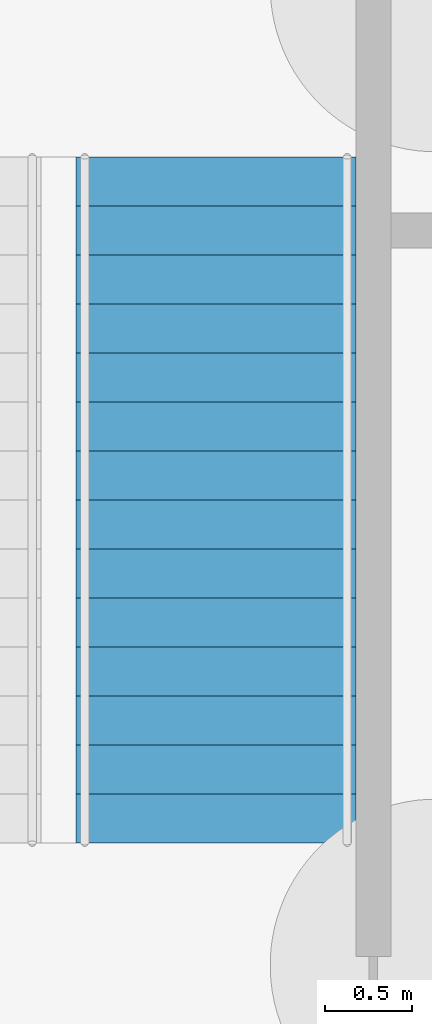
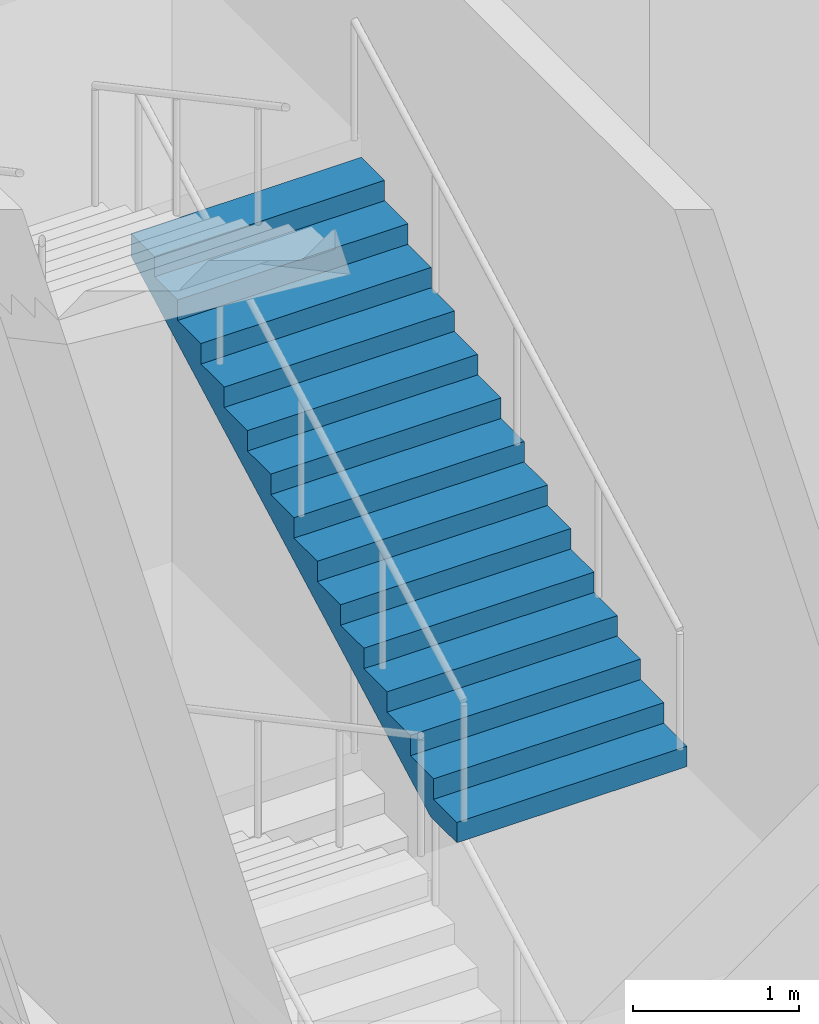
# One storey, part 95 of 113: 1 stair flight, 1 element without a shape of its own.
"""IFC4 building model written with IfcOpenShell, lengths in metres."""

from ifc_helpers import new_model, si_unit, direction, frame, origin, place, context, subcontext, project, spatial, triangles, material, type_object, element, aggregate, save


model = new_model("IFC4")

# Units and contexts
model_context = context("Model", 3, precision=1e-05, world=origin(), true_north=direction((0.0, 1.0)))
body_context = subcontext(model_context, "Body", "Model", "MODEL_VIEW")
ifc_project = project(units=[si_unit("LENGTHUNIT", "METRE"), si_unit("AREAUNIT", "SQUARE_METRE"), si_unit("VOLUMEUNIT", "CUBIC_METRE"), si_unit("PLANEANGLEUNIT", "RADIAN"), si_unit("MASSUNIT", "GRAM", prefix="KILO")], contexts=[model_context])

# Site, building, storey
site_placement = place(None, origin())
site = spatial("IfcSite", under=ifc_project, at=site_placement, CompositionType="ELEMENT")
building_placement = place(site_placement, origin())
building = spatial("IfcBuilding", under=site, at=building_placement, Name="Hakoniwa Tower and Hamabe Station Hall", CompositionType="ELEMENT")
storey_placement = place(building_placement, origin())
storey = spatial("IfcBuildingStorey", under=building, at=storey_placement, Name="L01", CompositionType="ELEMENT", Elevation=0.0)

# Stair, stair flight
ifc_material_1 = material(Name="Concrete C40", Category="concrete")
stair_type = type_object("IfcStairType", Name="STAIR 1600 15X150", PredefinedType="HALF_TURN_STAIR", material=ifc_material_1)
stair_placement = place(storey_placement, origin())
stair = element("IfcStair", 1, at=stair_placement, inside=storey, type_object=stair_type, Name="Escape stair SS1 L01", PredefinedType="HALF_TURN_STAIR")
ifc_material_2 = material(Name="Concrete C40", Category="concrete")
stair_flight_type = type_object("IfcStairFlightType", Name="STAIR FLIGHT 1600", PredefinedType="STRAIGHT", material=ifc_material_2)
stair_flight_placement = place(storey_placement, frame((89.25, 16.89990234375, 4.5), z_axis=(0.0, 0.0, 1.0), x_axis=(0.0, 1.0, 0.0)))
stair_flight = element("IfcStairFlight", 2, at=stair_flight_placement, type_object=stair_flight_type, Name="SS1 flight 3", NumberOfRisers=15, NumberOfTreads=14, PredefinedType="STRAIGHT", RiserHeight=0.15, TreadLength=0.28, context=body_context, shape_type="Tessellation", body=[
    triangles([(0.0, 0.800048828125, 0.0), (0.280029296875, 0.800048828125, 0.0), (0.3173828125, 0.800048828125, 0.0), (0.56005859375, 0.800048828125, 0.1298828125), (0.840087890625, 0.800048828125, 0.280029296875), (1.1201171875, 0.800048828125, 0.429931640625), (1.39990234375, 0.800048828125, 0.579833984375), (1.679931640625, 0.800048828125, 0.72998046875), (1.9599609375, 0.800048828125, 0.8798828125), (2.239990234375, 0.800048828125, 1.030029296875), (2.52001953125, 0.800048828125, 1.179931640625), (2.800048828125, 0.800048828125, 1.329833984375), (3.080078125, 0.800048828125, 1.47998046875), (3.360107421875, 0.800048828125, 1.6298828125), (3.639892578125, 0.800048828125, 1.780029296875), (3.919921875, 0.800048828125, 1.929931640625), (3.919921875, 0.800048828125, 2.10009765625), (3.639892578125, 0.800048828125, 2.10009765625), (3.639892578125, 0.800048828125, 1.949951171875), (3.360107421875, 0.800048828125, 1.949951171875), (3.360107421875, 0.800048828125, 1.800048828125), (3.080078125, 0.800048828125, 1.800048828125), (3.080078125, 0.800048828125, 1.64990234375), (2.800048828125, 0.800048828125, 1.64990234375), (2.800048828125, 0.800048828125, 1.5), (2.52001953125, 0.800048828125, 1.5), (2.52001953125, 0.800048828125, 1.35009765625), (2.239990234375, 0.800048828125, 1.35009765625), (2.239990234375, 0.800048828125, 1.199951171875), (1.9599609375, 0.800048828125, 1.199951171875), (1.9599609375, 0.800048828125, 1.050048828125), (1.679931640625, 0.800048828125, 1.050048828125), (1.679931640625, 0.800048828125, 0.89990234375), (1.39990234375, 0.800048828125, 0.89990234375), (1.39990234375, 0.800048828125, 0.75), (1.1201171875, 0.800048828125, 0.75), (1.1201171875, 0.800048828125, 0.60009765625), (0.840087890625, 0.800048828125, 0.60009765625), (0.840087890625, 0.800048828125, 0.449951171875), (0.56005859375, 0.800048828125, 0.449951171875), (0.56005859375, 0.800048828125, 0.300048828125), (0.3173828125, 0.800048828125, 0.300048828125), (0.280029296875, 0.800048828125, 0.300048828125), (0.280029296875, 0.800048828125, 0.14990234375), (0.0, 0.800048828125, 0.14990234375), (0.0, 0.06005859375, 0.0), (0.280029296875, 0.06005859375, 0.0), (0.3173828125, 0.06005859375, 0.0), (0.56005859375, 0.06005859375, 0.1298828125), (0.840087890625, 0.06005859375, 0.280029296875), (1.1201171875, 0.06005859375, 0.429931640625), (1.39990234375, 0.06005859375, 0.579833984375), (1.679931640625, 0.06005859375, 0.72998046875), (1.9599609375, 0.06005859375, 0.8798828125), (2.239990234375, 0.06005859375, 1.030029296875), (2.52001953125, 0.06005859375, 1.179931640625), (2.800048828125, 0.06005859375, 1.329833984375), (3.080078125, 0.06005859375, 1.47998046875), (3.360107421875, 0.06005859375, 1.6298828125), (3.639892578125, 0.06005859375, 1.780029296875), (3.919921875, 0.06005859375, 1.929931640625), (3.919921875, 0.06005859375, 2.10009765625), (3.639892578125, 0.06005859375, 2.10009765625), (3.639892578125, 0.06005859375, 1.949951171875), (3.360107421875, 0.06005859375, 1.949951171875), (3.360107421875, 0.06005859375, 1.800048828125), (3.080078125, 0.06005859375, 1.800048828125), (3.080078125, 0.06005859375, 1.64990234375), (2.800048828125, 0.06005859375, 1.64990234375), (2.800048828125, 0.06005859375, 1.5), (2.52001953125, 0.06005859375, 1.5), (2.52001953125, 0.06005859375, 1.35009765625), (2.239990234375, 0.06005859375, 1.35009765625), (2.239990234375, 0.06005859375, 1.199951171875), (1.9599609375, 0.06005859375, 1.199951171875), (1.9599609375, 0.06005859375, 1.050048828125), (1.679931640625, 0.06005859375, 1.050048828125), (1.679931640625, 0.06005859375, 0.89990234375), (1.39990234375, 0.06005859375, 0.89990234375), (1.39990234375, 0.06005859375, 0.75), (1.1201171875, 0.06005859375, 0.75), (1.1201171875, 0.06005859375, 0.60009765625), (0.840087890625, 0.06005859375, 0.60009765625), (0.840087890625, 0.06005859375, 0.449951171875), (0.56005859375, 0.06005859375, 0.449951171875), (0.56005859375, 0.06005859375, 0.300048828125), (0.3173828125, 0.06005859375, 0.300048828125), (0.280029296875, 0.06005859375, 0.300048828125), (0.280029296875, 0.06005859375, 0.14990234375), (0.0, 0.06005859375, 0.14990234375), (0.0, 0.02001953125, 0.0), (0.280029296875, 0.02001953125, 0.0), (0.3173828125, 0.02001953125, 0.0), (0.56005859375, 0.02001953125, 0.1298828125), (0.840087890625, 0.02001953125, 0.280029296875), (1.1201171875, 0.02001953125, 0.429931640625), (1.39990234375, 0.02001953125, 0.579833984375), (1.679931640625, 0.02001953125, 0.72998046875), (1.9599609375, 0.02001953125, 0.8798828125), (2.239990234375, 0.02001953125, 1.030029296875), (2.52001953125, 0.02001953125, 1.179931640625), (2.800048828125, 0.02001953125, 1.329833984375), (3.080078125, 0.02001953125, 1.47998046875), (3.360107421875, 0.02001953125, 1.6298828125), (3.639892578125, 0.02001953125, 1.780029296875), (3.919921875, 0.02001953125, 1.929931640625), (3.919921875, 0.02001953125, 2.10009765625), (3.639892578125, 0.02001953125, 2.10009765625), (3.639892578125, 0.02001953125, 1.949951171875), (3.360107421875, 0.02001953125, 1.949951171875), (3.360107421875, 0.02001953125, 1.800048828125), (3.080078125, 0.02001953125, 1.800048828125), (3.080078125, 0.02001953125, 1.64990234375), (2.800048828125, 0.02001953125, 1.64990234375), (2.800048828125, 0.02001953125, 1.5), (2.52001953125, 0.02001953125, 1.5), (2.52001953125, 0.02001953125, 1.35009765625), (2.239990234375, 0.02001953125, 1.35009765625), (2.239990234375, 0.02001953125, 1.199951171875), (1.9599609375, 0.02001953125, 1.199951171875), (1.9599609375, 0.02001953125, 1.050048828125), (1.679931640625, 0.02001953125, 1.050048828125), (1.679931640625, 0.02001953125, 0.89990234375), (1.39990234375, 0.02001953125, 0.89990234375), (1.39990234375, 0.02001953125, 0.75), (1.1201171875, 0.02001953125, 0.75), (1.1201171875, 0.02001953125, 0.60009765625), (0.840087890625, 0.02001953125, 0.60009765625), (0.840087890625, 0.02001953125, 0.449951171875), (0.56005859375, 0.02001953125, 0.449951171875), (0.56005859375, 0.02001953125, 0.300048828125), (0.3173828125, 0.02001953125, 0.300048828125), (0.280029296875, 0.02001953125, 0.300048828125), (0.280029296875, 0.02001953125, 0.14990234375), (0.0, 0.02001953125, 0.14990234375), (0.0, -0.02001953125, 0.0), (0.280029296875, -0.02001953125, 0.0), (0.3173828125, -0.02001953125, 0.0), (0.56005859375, -0.02001953125, 0.1298828125), (0.840087890625, -0.02001953125, 0.280029296875), (1.1201171875, -0.02001953125, 0.429931640625), (1.39990234375, -0.02001953125, 0.579833984375), (1.679931640625, -0.02001953125, 0.72998046875), (1.9599609375, -0.02001953125, 0.8798828125), (2.239990234375, -0.02001953125, 1.030029296875), (2.52001953125, -0.02001953125, 1.179931640625), (2.800048828125, -0.02001953125, 1.329833984375), (3.080078125, -0.02001953125, 1.47998046875), (3.360107421875, -0.02001953125, 1.6298828125), (3.639892578125, -0.02001953125, 1.780029296875), (3.919921875, -0.02001953125, 1.929931640625), (3.919921875, -0.02001953125, 2.10009765625), (3.639892578125, -0.02001953125, 2.10009765625), (3.639892578125, -0.02001953125, 1.949951171875), (3.360107421875, -0.02001953125, 1.949951171875), (3.360107421875, -0.02001953125, 1.800048828125), (3.080078125, -0.02001953125, 1.800048828125), (3.080078125, -0.02001953125, 1.64990234375), (2.800048828125, -0.02001953125, 1.64990234375), (2.800048828125, -0.02001953125, 1.5), (2.52001953125, -0.02001953125, 1.5), (2.52001953125, -0.02001953125, 1.35009765625), (2.239990234375, -0.02001953125, 1.35009765625), (2.239990234375, -0.02001953125, 1.199951171875), (1.9599609375, -0.02001953125, 1.199951171875), (1.9599609375, -0.02001953125, 1.050048828125), (1.679931640625, -0.02001953125, 1.050048828125), (1.679931640625, -0.02001953125, 0.89990234375), (1.39990234375, -0.02001953125, 0.89990234375), (1.39990234375, -0.02001953125, 0.75), (1.1201171875, -0.02001953125, 0.75), (1.1201171875, -0.02001953125, 0.60009765625), (0.840087890625, -0.02001953125, 0.60009765625), (0.840087890625, -0.02001953125, 0.449951171875), (0.56005859375, -0.02001953125, 0.449951171875), (0.56005859375, -0.02001953125, 0.300048828125), (0.3173828125, -0.02001953125, 0.300048828125), (0.280029296875, -0.02001953125, 0.300048828125), (0.280029296875, -0.02001953125, 0.14990234375), (0.0, -0.02001953125, 0.14990234375), (0.0, -0.06005859375, 0.0), (0.280029296875, -0.06005859375, 0.0), (0.3173828125, -0.06005859375, 0.0), (0.56005859375, -0.06005859375, 0.1298828125), (0.840087890625, -0.06005859375, 0.280029296875), (1.1201171875, -0.06005859375, 0.429931640625), (1.39990234375, -0.06005859375, 0.579833984375), (1.679931640625, -0.06005859375, 0.72998046875), (1.9599609375, -0.06005859375, 0.8798828125), (2.239990234375, -0.06005859375, 1.030029296875), (2.52001953125, -0.06005859375, 1.179931640625), (2.800048828125, -0.06005859375, 1.329833984375), (3.080078125, -0.06005859375, 1.47998046875), (3.360107421875, -0.06005859375, 1.6298828125), (3.639892578125, -0.06005859375, 1.780029296875), (3.919921875, -0.06005859375, 1.929931640625), (3.919921875, -0.06005859375, 2.10009765625), (3.639892578125, -0.06005859375, 2.10009765625), (3.639892578125, -0.06005859375, 1.949951171875), (3.360107421875, -0.06005859375, 1.949951171875), (3.360107421875, -0.06005859375, 1.800048828125), (3.080078125, -0.06005859375, 1.800048828125), (3.080078125, -0.06005859375, 1.64990234375), (2.800048828125, -0.06005859375, 1.64990234375), (2.800048828125, -0.06005859375, 1.5), (2.52001953125, -0.06005859375, 1.5), (2.52001953125, -0.06005859375, 1.35009765625), (2.239990234375, -0.06005859375, 1.35009765625), (2.239990234375, -0.06005859375, 1.199951171875), (1.9599609375, -0.06005859375, 1.199951171875), (1.9599609375, -0.06005859375, 1.050048828125), (1.679931640625, -0.06005859375, 1.050048828125), (1.679931640625, -0.06005859375, 0.89990234375), (1.39990234375, -0.06005859375, 0.89990234375), (1.39990234375, -0.06005859375, 0.75), (1.1201171875, -0.06005859375, 0.75), (1.1201171875, -0.06005859375, 0.60009765625), (0.840087890625, -0.06005859375, 0.60009765625), (0.840087890625, -0.06005859375, 0.449951171875), (0.56005859375, -0.06005859375, 0.449951171875), (0.56005859375, -0.06005859375, 0.300048828125), (0.3173828125, -0.06005859375, 0.300048828125), (0.280029296875, -0.06005859375, 0.300048828125), (0.280029296875, -0.06005859375, 0.14990234375), (0.0, -0.06005859375, 0.14990234375), (0.0, -0.800048828125, 0.0), (0.280029296875, -0.800048828125, 0.0), (0.3173828125, -0.800048828125, 0.0), (0.56005859375, -0.800048828125, 0.1298828125), (0.840087890625, -0.800048828125, 0.280029296875), (1.1201171875, -0.800048828125, 0.429931640625), (1.39990234375, -0.800048828125, 0.579833984375), (1.679931640625, -0.800048828125, 0.72998046875), (1.9599609375, -0.800048828125, 0.8798828125), (2.239990234375, -0.800048828125, 1.030029296875), (2.52001953125, -0.800048828125, 1.179931640625), (2.800048828125, -0.800048828125, 1.329833984375), (3.080078125, -0.800048828125, 1.47998046875), (3.360107421875, -0.800048828125, 1.6298828125), (3.639892578125, -0.800048828125, 1.780029296875), (3.919921875, -0.800048828125, 1.929931640625), (3.919921875, -0.800048828125, 2.10009765625), (3.639892578125, -0.800048828125, 2.10009765625), (3.639892578125, -0.800048828125, 1.949951171875), (3.360107421875, -0.800048828125, 1.949951171875), (3.360107421875, -0.800048828125, 1.800048828125), (3.080078125, -0.800048828125, 1.800048828125), (3.080078125, -0.800048828125, 1.64990234375), (2.800048828125, -0.800048828125, 1.64990234375), (2.800048828125, -0.800048828125, 1.5), (2.52001953125, -0.800048828125, 1.5), (2.52001953125, -0.800048828125, 1.35009765625), (2.239990234375, -0.800048828125, 1.35009765625), (2.239990234375, -0.800048828125, 1.199951171875), (1.9599609375, -0.800048828125, 1.199951171875), (1.9599609375, -0.800048828125, 1.050048828125), (1.679931640625, -0.800048828125, 1.050048828125), (1.679931640625, -0.800048828125, 0.89990234375), (1.39990234375, -0.800048828125, 0.89990234375), (1.39990234375, -0.800048828125, 0.75), (1.1201171875, -0.800048828125, 0.75), (1.1201171875, -0.800048828125, 0.60009765625), (0.840087890625, -0.800048828125, 0.60009765625), (0.840087890625, -0.800048828125, 0.449951171875), (0.56005859375, -0.800048828125, 0.449951171875), (0.56005859375, -0.800048828125, 0.300048828125), (0.3173828125, -0.800048828125, 0.300048828125), (0.280029296875, -0.800048828125, 0.300048828125), (0.280029296875, -0.800048828125, 0.14990234375), (0.0, -0.800048828125, 0.14990234375)], [[2, 45, 44], [227, 269, 270], [2, 1, 45], [227, 270, 226], [3, 43, 42], [228, 267, 268], [3, 44, 43], [228, 268, 269], [3, 2, 44], [228, 269, 227], [4, 42, 41], [229, 266, 267], [4, 3, 42], [229, 267, 228], [5, 40, 39], [230, 264, 265], [5, 41, 40], [230, 265, 266], [5, 4, 41], [230, 266, 229], [6, 38, 37], [231, 262, 263], [6, 39, 38], [231, 263, 264], [6, 5, 39], [231, 264, 230], [7, 36, 35], [232, 260, 261], [7, 37, 36], [232, 261, 262], [7, 6, 37], [232, 262, 231], [8, 34, 33], [233, 258, 259], [8, 35, 34], [233, 259, 260], [8, 7, 35], [233, 260, 232], [9, 32, 31], [234, 256, 257], [9, 33, 32], [234, 257, 258], [9, 8, 33], [234, 258, 233], [10, 30, 29], [235, 254, 255], [10, 31, 30], [235, 255, 256], [10, 9, 31], [235, 256, 234], [11, 28, 27], [236, 252, 253], [11, 29, 28], [236, 253, 254], [11, 10, 29], [236, 254, 235], [12, 26, 25], [237, 250, 251], [12, 27, 26], [237, 251, 252], [12, 11, 27], [237, 252, 236], [13, 24, 23], [238, 248, 249], [13, 25, 24], [238, 249, 250], [13, 12, 25], [238, 250, 237], [14, 22, 21], [239, 246, 247], [14, 23, 22], [239, 247, 248], [14, 13, 23], [239, 248, 238], [15, 20, 19], [240, 244, 245], [15, 21, 20], [240, 245, 246], [15, 14, 21], [240, 246, 239], [16, 18, 17], [241, 242, 243], [16, 19, 18], [241, 243, 244], [16, 15, 19], [241, 244, 240], [1, 2, 47], [1, 47, 46], [46, 47, 92], [46, 92, 91], [91, 92, 137], [91, 137, 136], [136, 137, 182], [136, 182, 181], [181, 182, 227], [181, 227, 226], [2, 3, 48], [2, 48, 47], [47, 48, 93], [47, 93, 92], [92, 93, 138], [92, 138, 137], [137, 138, 183], [137, 183, 182], [182, 183, 228], [182, 228, 227], [3, 4, 49], [3, 49, 48], [48, 49, 94], [48, 94, 93], [93, 94, 139], [93, 139, 138], [138, 139, 184], [138, 184, 183], [183, 184, 229], [183, 229, 228], [4, 5, 50], [4, 50, 49], [49, 50, 95], [49, 95, 94], [94, 95, 140], [94, 140, 139], [139, 140, 185], [139, 185, 184], [184, 185, 230], [184, 230, 229], [5, 6, 51], [5, 51, 50], [50, 51, 96], [50, 96, 95], [95, 96, 141], [95, 141, 140], [140, 141, 186], [140, 186, 185], [185, 186, 231], [185, 231, 230], [6, 7, 52], [6, 52, 51], [51, 52, 97], [51, 97, 96], [96, 97, 142], [96, 142, 141], [141, 142, 187], [141, 187, 186], [186, 187, 232], [186, 232, 231], [7, 8, 53], [7, 53, 52], [52, 53, 98], [52, 98, 97], [97, 98, 143], [97, 143, 142], [142, 143, 188], [142, 188, 187], [187, 188, 233], [187, 233, 232], [8, 9, 54], [8, 54, 53], [53, 54, 99], [53, 99, 98], [98, 99, 144], [98, 144, 143], [143, 144, 189], [143, 189, 188], [188, 189, 234], [188, 234, 233], [9, 10, 55], [9, 55, 54], [54, 55, 100], [54, 100, 99], [99, 100, 145], [99, 145, 144], [144, 145, 190], [144, 190, 189], [189, 190, 235], [189, 235, 234], [10, 11, 56], [10, 56, 55], [55, 56, 101], [55, 101, 100], [100, 101, 146], [100, 146, 145], [145, 146, 191], [145, 191, 190], [190, 191, 236], [190, 236, 235], [11, 12, 57], [11, 57, 56], [56, 57, 102], [56, 102, 101], [101, 102, 147], [101, 147, 146], [146, 147, 192], [146, 192, 191], [191, 192, 237], [191, 237, 236], [12, 13, 58], [12, 58, 57], [57, 58, 103], [57, 103, 102], [102, 103, 148], [102, 148, 147], [147, 148, 193], [147, 193, 192], [192, 193, 238], [192, 238, 237], [13, 14, 59], [13, 59, 58], [58, 59, 104], [58, 104, 103], [103, 104, 149], [103, 149, 148], [148, 149, 194], [148, 194, 193], [193, 194, 239], [193, 239, 238], [14, 15, 60], [14, 60, 59], [59, 60, 105], [59, 105, 104], [104, 105, 150], [104, 150, 149], [149, 150, 195], [149, 195, 194], [194, 195, 240], [194, 240, 239], [15, 16, 61], [15, 61, 60], [60, 61, 106], [60, 106, 105], [105, 106, 151], [105, 151, 150], [150, 151, 196], [150, 196, 195], [195, 196, 241], [195, 241, 240], [16, 17, 62], [16, 62, 61], [61, 62, 107], [61, 107, 106], [106, 107, 152], [106, 152, 151], [151, 152, 197], [151, 197, 196], [196, 197, 242], [196, 242, 241], [17, 18, 63], [17, 63, 62], [62, 63, 108], [62, 108, 107], [107, 108, 153], [107, 153, 152], [152, 153, 198], [152, 198, 197], [197, 198, 243], [197, 243, 242], [18, 19, 64], [18, 64, 63], [63, 64, 109], [63, 109, 108], [108, 109, 154], [108, 154, 153], [153, 154, 199], [153, 199, 198], [198, 199, 244], [198, 244, 243], [19, 20, 65], [19, 65, 64], [64, 65, 110], [64, 110, 109], [109, 110, 155], [109, 155, 154], [154, 155, 200], [154, 200, 199], [199, 200, 245], [199, 245, 244], [20, 21, 66], [20, 66, 65], [65, 66, 111], [65, 111, 110], [110, 111, 156], [110, 156, 155], [155, 156, 201], [155, 201, 200], [200, 201, 246], [200, 246, 245], [21, 22, 67], [21, 67, 66], [66, 67, 112], [66, 112, 111], [111, 112, 157], [111, 157, 156], [156, 157, 202], [156, 202, 201], [201, 202, 247], [201, 247, 246], [22, 23, 68], [22, 68, 67], [67, 68, 113], [67, 113, 112], [112, 113, 158], [112, 158, 157], [157, 158, 203], [157, 203, 202], [202, 203, 248], [202, 248, 247], [23, 24, 69], [23, 69, 68], [68, 69, 114], [68, 114, 113], [113, 114, 159], [113, 159, 158], [158, 159, 204], [158, 204, 203], [203, 204, 249], [203, 249, 248], [24, 25, 70], [24, 70, 69], [69, 70, 115], [69, 115, 114], [114, 115, 160], [114, 160, 159], [159, 160, 205], [159, 205, 204], [204, 205, 250], [204, 250, 249], [25, 26, 71], [25, 71, 70], [70, 71, 116], [70, 116, 115], [115, 116, 161], [115, 161, 160], [160, 161, 206], [160, 206, 205], [205, 206, 251], [205, 251, 250], [26, 27, 72], [26, 72, 71], [71, 72, 117], [71, 117, 116], [116, 117, 162], [116, 162, 161], [161, 162, 207], [161, 207, 206], [206, 207, 252], [206, 252, 251], [27, 28, 73], [27, 73, 72], [72, 73, 118], [72, 118, 117], [117, 118, 163], [117, 163, 162], [162, 163, 208], [162, 208, 207], [207, 208, 253], [207, 253, 252], [28, 29, 74], [28, 74, 73], [73, 74, 119], [73, 119, 118], [118, 119, 164], [118, 164, 163], [163, 164, 209], [163, 209, 208], [208, 209, 254], [208, 254, 253], [29, 30, 75], [29, 75, 74], [74, 75, 120], [74, 120, 119], [119, 120, 165], [119, 165, 164], [164, 165, 210], [164, 210, 209], [209, 210, 255], [209, 255, 254], [30, 31, 76], [30, 76, 75], [75, 76, 121], [75, 121, 120], [120, 121, 166], [120, 166, 165], [165, 166, 211], [165, 211, 210], [210, 211, 256], [210, 256, 255], [31, 32, 77], [31, 77, 76], [76, 77, 122], [76, 122, 121], [121, 122, 167], [121, 167, 166], [166, 167, 212], [166, 212, 211], [211, 212, 257], [211, 257, 256], [32, 33, 78], [32, 78, 77], [77, 78, 123], [77, 123, 122], [122, 123, 168], [122, 168, 167], [167, 168, 213], [167, 213, 212], [212, 213, 258], [212, 258, 257], [33, 34, 79], [33, 79, 78], [78, 79, 124], [78, 124, 123], [123, 124, 169], [123, 169, 168], [168, 169, 214], [168, 214, 213], [213, 214, 259], [213, 259, 258], [34, 35, 80], [34, 80, 79], [79, 80, 125], [79, 125, 124], [124, 125, 170], [124, 170, 169], [169, 170, 215], [169, 215, 214], [214, 215, 260], [214, 260, 259], [35, 36, 81], [35, 81, 80], [80, 81, 126], [80, 126, 125], [125, 126, 171], [125, 171, 170], [170, 171, 216], [170, 216, 215], [215, 216, 261], [215, 261, 260], [36, 37, 82], [36, 82, 81], [81, 82, 127], [81, 127, 126], [126, 127, 172], [126, 172, 171], [171, 172, 217], [171, 217, 216], [216, 217, 262], [216, 262, 261], [37, 38, 83], [37, 83, 82], [82, 83, 128], [82, 128, 127], [127, 128, 173], [127, 173, 172], [172, 173, 218], [172, 218, 217], [217, 218, 263], [217, 263, 262], [38, 39, 84], [38, 84, 83], [83, 84, 129], [83, 129, 128], [128, 129, 174], [128, 174, 173], [173, 174, 219], [173, 219, 218], [218, 219, 264], [218, 264, 263], [39, 40, 85], [39, 85, 84], [84, 85, 130], [84, 130, 129], [129, 130, 175], [129, 175, 174], [174, 175, 220], [174, 220, 219], [219, 220, 265], [219, 265, 264], [40, 41, 86], [40, 86, 85], [85, 86, 131], [85, 131, 130], [130, 131, 176], [130, 176, 175], [175, 176, 221], [175, 221, 220], [220, 221, 266], [220, 266, 265], [41, 42, 87], [41, 87, 86], [86, 87, 132], [86, 132, 131], [131, 132, 177], [131, 177, 176], [176, 177, 222], [176, 222, 221], [221, 222, 267], [221, 267, 266], [42, 43, 88], [42, 88, 87], [87, 88, 133], [87, 133, 132], [132, 133, 178], [132, 178, 177], [177, 178, 223], [177, 223, 222], [222, 223, 268], [222, 268, 267], [43, 44, 89], [43, 89, 88], [88, 89, 134], [88, 134, 133], [133, 134, 179], [133, 179, 178], [178, 179, 224], [178, 224, 223], [223, 224, 269], [223, 269, 268], [44, 45, 90], [44, 90, 89], [89, 90, 135], [89, 135, 134], [134, 135, 180], [134, 180, 179], [179, 180, 225], [179, 225, 224], [224, 225, 270], [224, 270, 269], [45, 1, 46], [45, 46, 90], [90, 46, 91], [90, 91, 135], [135, 91, 136], [135, 136, 180], [180, 136, 181], [180, 181, 225], [225, 181, 226], [225, 226, 270]], closed=True),
])
aggregate(stair, [stair_flight])

save(model, "model.ifc")
